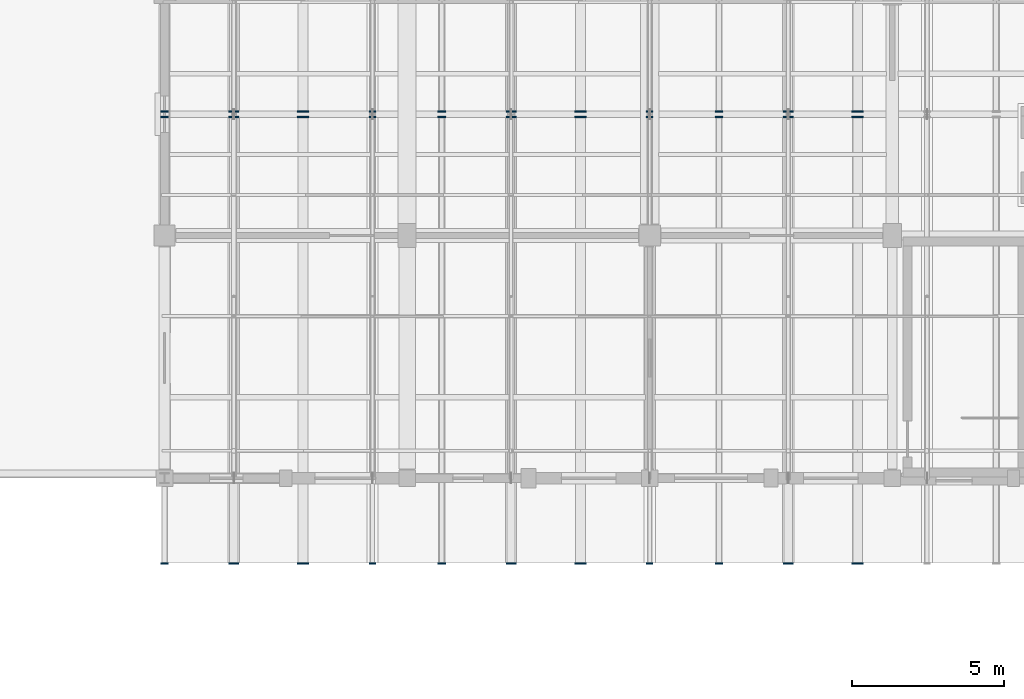
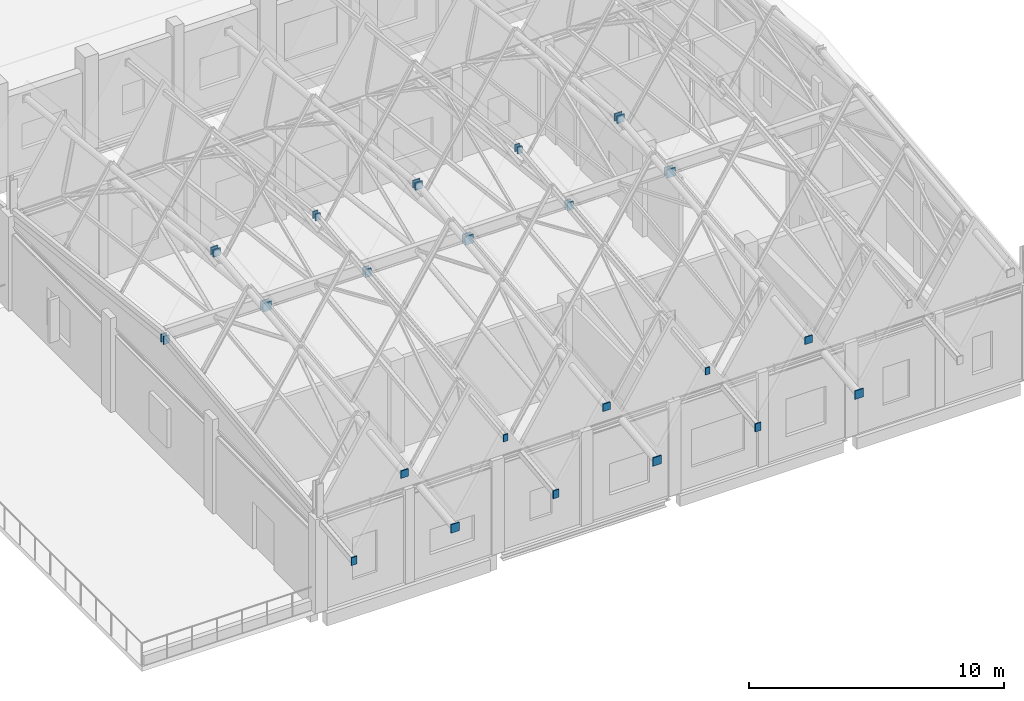
# One storey, part 62 of 77: 33 discrete accessories.
"""IFC4 building model written with IfcOpenShell, lengths in metres."""

from ifc_helpers import new_model, si_unit, direction, frame, origin, origin_2d, place, context, subcontext, project, spatial, rectangle, extrude, material, type_object, element, save


model = new_model("IFC4")

# Units and contexts
model_context = context("Model", 3, precision=1e-05, world=origin(), true_north=direction((0.0, 1.0)))
body_context = subcontext(model_context, "Body", "Model", "MODEL_VIEW")
ifc_project = project(units=[si_unit("LENGTHUNIT", "METRE"), si_unit("AREAUNIT", "SQUARE_METRE"), si_unit("VOLUMEUNIT", "CUBIC_METRE"), si_unit("PLANEANGLEUNIT", "RADIAN"), si_unit("MASSUNIT", "GRAM", prefix="KILO")], contexts=[model_context])

# Site, building, storey
site_placement = place(None, origin())
site = spatial("IfcSite", under=ifc_project, at=site_placement, CompositionType="ELEMENT")
building_placement = place(site_placement, origin())
building = spatial("IfcBuilding", under=site, at=building_placement, Name="Luwemba Playhouse", CompositionType="ELEMENT")
storey_placement = place(building_placement, frame((0.0, 0.0, 9.300048828125)))
storey = spatial("IfcBuildingStorey", under=building, at=storey_placement, Name="L02", CompositionType="ELEMENT", Elevation=9.300048828125)

# Discrete accessories
ifc_material = material(Name="Steel S355", Category="steel")
discrete_accessory_type = type_object("IfcDiscreteAccessoryType", Name="ACC-ENDCAP-S355", PredefinedType="BRACKET", material=ifc_material)
for number, where, z_axis, x_axis, name in (
    (1, (140.0, 33.18505859375, 3.806396484375), (0.0, 0.0, 1.0), (1.0, 0.0, 0.0), "Welded RHS end cap plate 0197"),
    (2, (140.0, 47.90478515625, 5.45751953125), (0.0, 0.0, 1.0), (1.0, 0.0, 0.0), "Welded RHS end cap plate 0198"),
    (3, (140.0, 48.09521484375, 5.45751953125), (0.0, 0.0, 1.0), (1.0, 0.0, 0.0), "Welded RHS end cap plate 0199"),
):
    element("IfcDiscreteAccessory", number, at=place(storey_placement, frame(where, z_axis=z_axis, x_axis=x_axis)), inside=storey, type_object=discrete_accessory_type, Name=name, PredefinedType="BRACKET", context=body_context, shape_type="SweptSolid", body=[
        extrude(rectangle(XDim=0.260009765625, YDim=0.044921875, at=origin_2d()), origin(), (0.0, 0.0, 1.0), 0.3798828125),
    ])
for number, where, z_axis, x_axis, name in (
    (4, (142.28564453125, 33.18505859375, 7.1953125), (0.0, 0.0, 1.0), (1.0, 0.0, 0.0), "Welded RHS end cap plate 0201"),
    (5, (142.28564453125, 47.90478515625, 8.846435546875), (0.0, 0.0, 1.0), (1.0, 0.0, 0.0), "Welded RHS end cap plate 0202"),
    (6, (142.28564453125, 48.09521484375, 8.846435546875), (0.0, 0.0, 1.0), (1.0, 0.0, 0.0), "Welded RHS end cap plate 0203"),
):
    element("IfcDiscreteAccessory", number, at=place(storey_placement, frame(where, z_axis=z_axis, x_axis=x_axis)), inside=storey, type_object=discrete_accessory_type, Name=name, PredefinedType="BRACKET", context=body_context, shape_type="SweptSolid", body=[
        extrude(rectangle(XDim=0.3330078125, YDim=0.044921875, at=origin_2d()), origin(), (0.0, 0.0, 1.0), 0.35302734375),
    ])
for number, where, z_axis, x_axis, name in (
    (7, (144.5712890625, 33.18505859375, 3.7822265625), (0.0, 0.0, 1.0), (1.0, 0.0, 0.0), "Welded RHS end cap plate 0205"),
    (8, (144.5712890625, 47.90478515625, 5.43359375), (0.0, 0.0, 1.0), (1.0, 0.0, 0.0), "Welded RHS end cap plate 0206"),
    (9, (144.5712890625, 48.09521484375, 5.43359375), (0.0, 0.0, 1.0), (1.0, 0.0, 0.0), "Welded RHS end cap plate 0207"),
):
    element("IfcDiscreteAccessory", number, at=place(storey_placement, frame(where, z_axis=z_axis, x_axis=x_axis)), inside=storey, type_object=discrete_accessory_type, Name=name, PredefinedType="BRACKET", context=body_context, shape_type="SweptSolid", body=[
        extrude(rectangle(XDim=0.384033203125, YDim=0.044921875, at=origin_2d()), origin(), (0.0, 0.0, 1.0), 0.404052734375),
    ])
for number, where, z_axis, x_axis, name in (
    (10, (146.857177734375, 33.18505859375, 7.316650390625), (0.0, 0.0, 1.0), (1.0, 0.0, 0.0), "Welded RHS end cap plate 0209"),
    (11, (146.857177734375, 47.90478515625, 8.9677734375), (0.0, 0.0, 1.0), (1.0, 0.0, 0.0), "Welded RHS end cap plate 0210"),
    (12, (146.857177734375, 48.09521484375, 8.9677734375), (0.0, 0.0, 1.0), (1.0, 0.0, 0.0), "Welded RHS end cap plate 0211"),
):
    element("IfcDiscreteAccessory", number, at=place(storey_placement, frame(where, z_axis=z_axis, x_axis=x_axis)), inside=storey, type_object=discrete_accessory_type, Name=name, PredefinedType="BRACKET", context=body_context, shape_type="SweptSolid", body=[
        extrude(rectangle(XDim=0.2099609375, YDim=0.044921875, at=origin_2d()), origin(), (0.0, 0.0, 1.0), 0.330078125),
    ])
for number, where, z_axis, x_axis, name in (
    (13, (149.142822265625, 33.18505859375, 3.806396484375), (0.0, 0.0, 1.0), (1.0, 0.0, 0.0), "Welded RHS end cap plate 0213"),
    (14, (149.142822265625, 47.90478515625, 5.45751953125), (0.0, 0.0, 1.0), (1.0, 0.0, 0.0), "Welded RHS end cap plate 0214"),
    (15, (149.142822265625, 48.09521484375, 5.45751953125), (0.0, 0.0, 1.0), (1.0, 0.0, 0.0), "Welded RHS end cap plate 0215"),
):
    element("IfcDiscreteAccessory", number, at=place(storey_placement, frame(where, z_axis=z_axis, x_axis=x_axis)), inside=storey, type_object=discrete_accessory_type, Name=name, PredefinedType="BRACKET", context=body_context, shape_type="SweptSolid", body=[
        extrude(rectangle(XDim=0.260009765625, YDim=0.044921875, at=origin_2d()), origin(), (0.0, 0.0, 1.0), 0.3798828125),
    ])
for number, where, z_axis, x_axis, name in (
    (16, (151.4287109375, 33.18505859375, 7.195068359375), (0.0, 0.0, 1.0), (1.0, 0.0, 0.0), "Welded RHS end cap plate 0217"),
    (17, (151.4287109375, 47.90478515625, 8.84619140625), (0.0, 0.0, 1.0), (1.0, 0.0, 0.0), "Welded RHS end cap plate 0218"),
    (18, (151.4287109375, 48.09521484375, 8.84619140625), (0.0, 0.0, 1.0), (1.0, 0.0, 0.0), "Welded RHS end cap plate 0219"),
):
    element("IfcDiscreteAccessory", number, at=place(storey_placement, frame(where, z_axis=z_axis, x_axis=x_axis)), inside=storey, type_object=discrete_accessory_type, Name=name, PredefinedType="BRACKET", context=body_context, shape_type="SweptSolid", body=[
        extrude(rectangle(XDim=0.3330078125, YDim=0.044921875, at=origin_2d()), origin(), (0.0, 0.0, 1.0), 0.35302734375),
    ])
for number, where, z_axis, x_axis, name in (
    (19, (153.71435546875, 33.18505859375, 3.78271484375), (0.0, 0.0, 1.0), (1.0, 0.0, 0.0), "Welded RHS end cap plate 0221"),
    (20, (153.71435546875, 47.90478515625, 5.43359375), (0.0, 0.0, 1.0), (1.0, 0.0, 0.0), "Welded RHS end cap plate 0222"),
    (21, (153.71435546875, 48.09521484375, 5.43359375), (0.0, 0.0, 1.0), (1.0, 0.0, 0.0), "Welded RHS end cap plate 0223"),
):
    element("IfcDiscreteAccessory", number, at=place(storey_placement, frame(where, z_axis=z_axis, x_axis=x_axis)), inside=storey, type_object=discrete_accessory_type, Name=name, PredefinedType="BRACKET", context=body_context, shape_type="SweptSolid", body=[
        extrude(rectangle(XDim=0.384033203125, YDim=0.044921875, at=origin_2d()), origin(), (0.0, 0.0, 1.0), 0.404052734375),
    ])
for number, where, z_axis, x_axis, name in (
    (22, (156.0, 33.18505859375, 7.31640625), (0.0, 0.0, 1.0), (1.0, 0.0, 0.0), "Welded RHS end cap plate 0225"),
    (23, (156.0, 47.90478515625, 8.9677734375), (0.0, 0.0, 1.0), (1.0, 0.0, 0.0), "Welded RHS end cap plate 0226"),
    (24, (156.0, 48.09521484375, 8.9677734375), (0.0, 0.0, 1.0), (1.0, 0.0, 0.0), "Welded RHS end cap plate 0227"),
):
    element("IfcDiscreteAccessory", number, at=place(storey_placement, frame(where, z_axis=z_axis, x_axis=x_axis)), inside=storey, type_object=discrete_accessory_type, Name=name, PredefinedType="BRACKET", context=body_context, shape_type="SweptSolid", body=[
        extrude(rectangle(XDim=0.2099609375, YDim=0.044921875, at=origin_2d()), origin(), (0.0, 0.0, 1.0), 0.330078125),
    ])
for number, where, z_axis, x_axis, name in (
    (25, (158.28564453125, 33.18505859375, 3.806396484375), (0.0, 0.0, 1.0), (1.0, 0.0, 0.0), "Welded RHS end cap plate 0229"),
    (26, (158.28564453125, 47.90478515625, 5.45751953125), (0.0, 0.0, 1.0), (1.0, 0.0, 0.0), "Welded RHS end cap plate 0230"),
    (27, (158.28564453125, 48.09521484375, 5.45751953125), (0.0, 0.0, 1.0), (1.0, 0.0, 0.0), "Welded RHS end cap plate 0231"),
):
    element("IfcDiscreteAccessory", number, at=place(storey_placement, frame(where, z_axis=z_axis, x_axis=x_axis)), inside=storey, type_object=discrete_accessory_type, Name=name, PredefinedType="BRACKET", context=body_context, shape_type="SweptSolid", body=[
        extrude(rectangle(XDim=0.260009765625, YDim=0.044921875, at=origin_2d()), origin(), (0.0, 0.0, 1.0), 0.3798828125),
    ])
for number, where, z_axis, x_axis, name in (
    (28, (160.5712890625, 33.18505859375, 7.1953125), (0.0, 0.0, 1.0), (1.0, 0.0, 0.0), "Welded RHS end cap plate 0233"),
    (29, (160.5712890625, 47.90478515625, 8.846435546875), (0.0, 0.0, 1.0), (1.0, 0.0, 0.0), "Welded RHS end cap plate 0234"),
    (30, (160.5712890625, 48.09521484375, 8.846435546875), (0.0, 0.0, 1.0), (1.0, 0.0, 0.0), "Welded RHS end cap plate 0235"),
):
    element("IfcDiscreteAccessory", number, at=place(storey_placement, frame(where, z_axis=z_axis, x_axis=x_axis)), inside=storey, type_object=discrete_accessory_type, Name=name, PredefinedType="BRACKET", context=body_context, shape_type="SweptSolid", body=[
        extrude(rectangle(XDim=0.3330078125, YDim=0.044921875, at=origin_2d()), origin(), (0.0, 0.0, 1.0), 0.35302734375),
    ])
for number, where, z_axis, x_axis, name in (
    (31, (162.857177734375, 33.18505859375, 3.7822265625), (0.0, 0.0, 1.0), (1.0, 0.0, 0.0), "Welded RHS end cap plate 0237"),
    (32, (162.857177734375, 47.90478515625, 5.43359375), (0.0, 0.0, 1.0), (1.0, 0.0, 0.0), "Welded RHS end cap plate 0238"),
    (33, (162.857177734375, 48.09521484375, 5.43359375), (0.0, 0.0, 1.0), (1.0, 0.0, 0.0), "Welded RHS end cap plate 0239"),
):
    element("IfcDiscreteAccessory", number, at=place(storey_placement, frame(where, z_axis=z_axis, x_axis=x_axis)), inside=storey, type_object=discrete_accessory_type, Name=name, PredefinedType="BRACKET", context=body_context, shape_type="SweptSolid", body=[
        extrude(rectangle(XDim=0.384033203125, YDim=0.044921875, at=origin_2d()), origin(), (0.0, 0.0, 1.0), 0.404052734375),
    ])

save(model, "model.ifc")
